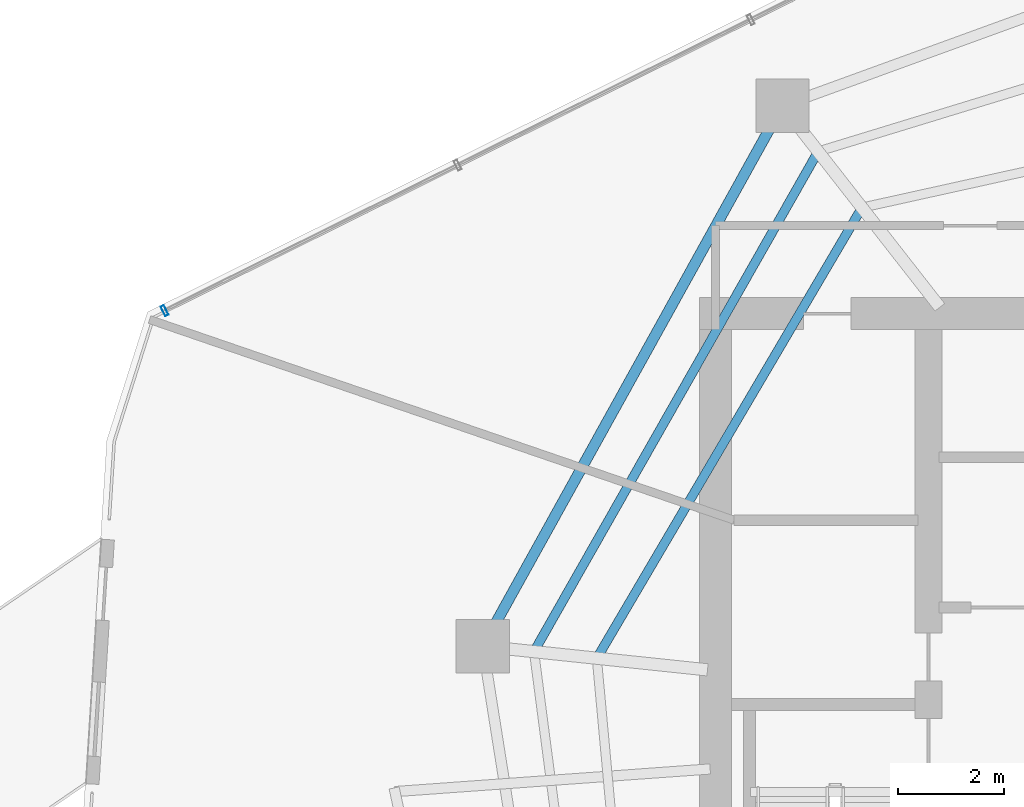
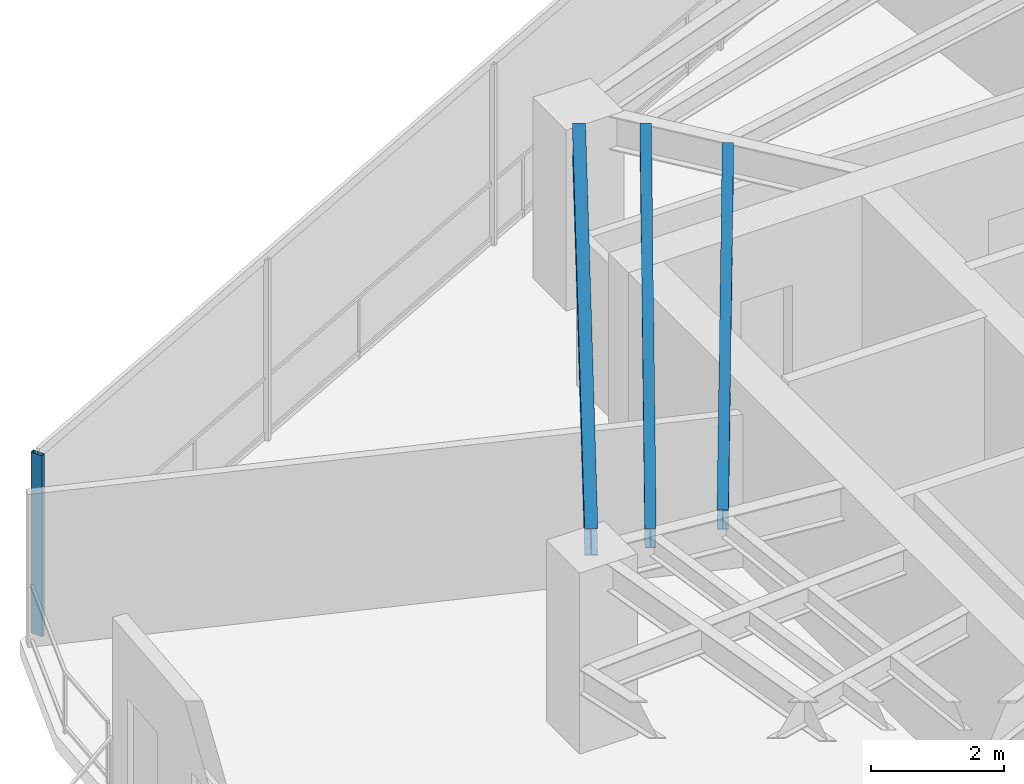
# One storey, part 7 of 21: 3 beams, 1 member, 1 element without a shape of its own.
"""IFC4 building model written with IfcOpenShell, lengths in metres."""

from ifc_helpers import new_model, si_unit, direction, frame, origin, origin_2d, place, context, subcontext, project, spatial, hollow_rectangle, i_section, extrude, material, layer, layer_set, material_profile, profile_set, type_object, element, aggregate, save


model = new_model("IFC4")

# Units and contexts
model_context = context("Model", 3, precision=1e-05, world=origin(), true_north=direction((0.0, 1.0)))
body_context = subcontext(model_context, "Body", "Model", "MODEL_VIEW")
ifc_project = project(units=[si_unit("LENGTHUNIT", "METRE"), si_unit("AREAUNIT", "SQUARE_METRE"), si_unit("VOLUMEUNIT", "CUBIC_METRE"), si_unit("PLANEANGLEUNIT", "RADIAN"), si_unit("MASSUNIT", "GRAM", prefix="KILO")], contexts=[model_context])

# Site, building, storey
site_placement = place(None, origin())
site = spatial("IfcSite", under=ifc_project, at=site_placement, CompositionType="ELEMENT")
building_placement = place(site_placement, origin())
building = spatial("IfcBuilding", under=site, at=building_placement, Name="Qarnah Convention Tower", CompositionType="ELEMENT")
storey_placement = place(building_placement, frame((0.0, 0.0, 165.300048828125)))
storey = spatial("IfcBuildingStorey", under=building, at=storey_placement, Name="L44", CompositionType="ELEMENT", Elevation=165.300048828125)

# Beams
ifc_material_1 = material(Name="Structural steel S355JR", Category="steel")
ifc_material_profile_1 = material_profile(ifc_material_1, i_section(OverallWidth=0.172119140625, OverallDepth=0.35595703125, WebThickness=0.007080078125, FlangeThickness=0.011962890625, at=origin_2d()), Name="W360X51")
ifc_profile_set_1 = profile_set([ifc_material_profile_1], Name="Structural steel S355JR")
beam_type_1 = type_object("IfcBeamType", Name="BM-JST-W360", PredefinedType="JOIST", material=ifc_profile_set_1)
beam_1_placement = place(storey_placement, frame((28.68408203125, 37.166015625, 3.141845703125), z_axis=(-0.49398927148, -0.869467998067, 0.0), x_axis=(0.869467998067, -0.49398927148, 0.0)))
element("IfcBeam", 1, at=beam_1_placement, inside=storey, type_object=beam_type_1, Name="L44 joist BM-L44-SJST-04", PredefinedType="JOIST", context=body_context, shape_type="SweptSolid", body=[
    extrude(i_section(OverallWidth=0.172119140625, OverallDepth=0.35595703125, WebThickness=0.007080078125, FlangeThickness=0.011962890625, at=origin_2d()), origin(), (0.0, 0.0, 1.0), 10.623779296875),
])
beam_2_placement = place(storey_placement, frame((29.5048828125, 36.112060546875, 3.141845703125), z_axis=(-0.507052229611, -0.861915330207, 0.0), x_axis=(0.861915330207, -0.507052229611, 0.0)))
element("IfcBeam", 2, at=beam_2_placement, inside=storey, type_object=beam_type_1, Name="L44 joist BM-L44-IJST-04", PredefinedType="JOIST", context=body_context, shape_type="SweptSolid", body=[
    extrude(i_section(OverallWidth=0.172119140625, OverallDepth=0.35595703125, WebThickness=0.007080078125, FlangeThickness=0.011962890625, at=origin_2d()), origin(), (0.0, 0.0, 1.0), 9.637939453125),
])
ifc_material_profile_2 = material_profile(ifc_material_1, i_section(OverallWidth=0.199951171875, OverallDepth=0.5, WebThickness=0.010009765625, FlangeThickness=0.01611328125, at=origin_2d()), Name="IPE500")
ifc_profile_set_2 = profile_set([ifc_material_profile_2], Name="Structural steel S355JR")
beam_type_2 = type_object("IfcBeamType", Name="BM-SPN-IPE500", PredefinedType="SPANDREL", material=ifc_profile_set_2)
beam_3_placement = place(storey_placement, frame((27.819091796875, 37.673095703125, 3.070068359375), z_axis=(-0.48477441757, -0.874639219375, 0.0), x_axis=(0.874639219375, -0.48477441757, 0.0)))
element("IfcBeam", 3, at=beam_3_placement, inside=storey, type_object=beam_type_2, Name="L44 spandrel BM-L44-SPN-04", PredefinedType="SPANDREL", context=body_context, shape_type="SweptSolid", body=[
    extrude(i_section(OverallWidth=0.199951171875, OverallDepth=0.5, WebThickness=0.010009765625, FlangeThickness=0.01611328125, at=origin_2d()), origin(), (0.0, 0.0, 1.0), 10.623779296875),
])

# Curtain wall, member
ifc_material_2 = material(Name="Tempered Low-E dark glass", Category="glass")
ifc_layer = layer(ifc_material_2, 0.172119140625)
ifc_layer_set = layer_set([ifc_layer], Name="Tempered Low-E dark glass")
curtain_wall_type = type_object("IfcCurtainWallType", Name="CWS-03", PredefinedType="NOTDEFINED", material=ifc_layer_set)
curtain_wall_placement = place(storey_placement, origin())
curtain_wall = element("IfcCurtainWall", 4, at=curtain_wall_placement, inside=storey, type_object=curtain_wall_type, Name="L44 unitised curtain wall CW-L44-F2", PredefinedType="NOTDEFINED")
ifc_material_3 = material(Name="Black anodised aluminium", Category="aluminium")
ifc_material_profile_3 = material_profile(ifc_material_3, hollow_rectangle(XDim=0.070068359375, YDim=0.199951171875, WallThickness=0.0048828125, at=origin_2d()), Name="MUL-70X200")
ifc_profile_set_3 = profile_set([ifc_material_profile_3], Name="Black anodised aluminium")
member_type = type_object("IfcMemberType", Name="MUL-T3", PredefinedType="MULLION", material=ifc_profile_set_3)
member_placement = place(storey_placement, frame((16.455078125, 34.2548828125, 0.0), z_axis=(0.0, 0.0, 1.0), x_axis=(0.895712272422, 0.444634147399, 0.0)))
member = element("IfcMember", 5, at=member_placement, type_object=member_type, Name="CW-L44-F2 mullion 1", PredefinedType="MULLION", context=body_context, shape_type="SweptSolid", body=[
    extrude(hollow_rectangle(XDim=0.070068359375, YDim=0.199951171875, WallThickness=0.0048828125, at=origin_2d()), origin(), (0.0, 0.0, 1.0), 3.320068359375),
])
aggregate(curtain_wall, [member])

save(model, "model.ifc")
